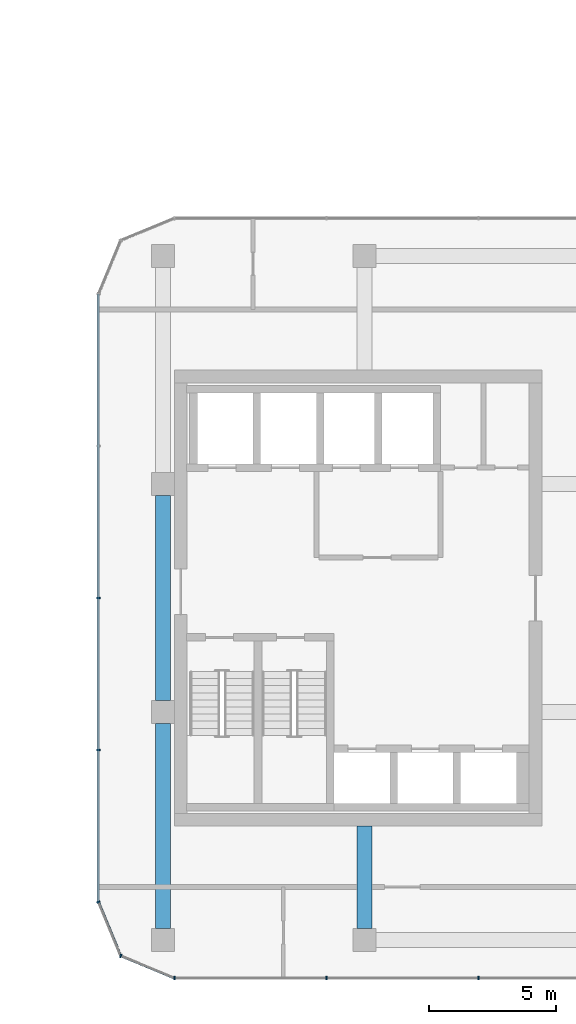
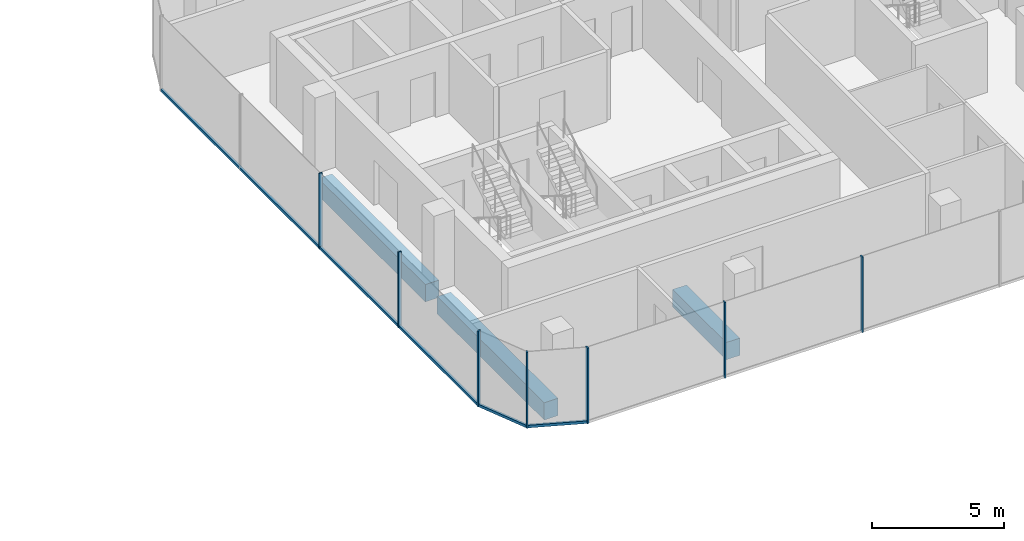
# One storey, part 7 of 22: 10 members, 3 beams, 4 elements without a shape of their own.
"""IFC4 building model written with IfcOpenShell, lengths in metres."""

from ifc_helpers import new_model, si_unit, direction, frame, origin, origin_2d, place, context, subcontext, project, spatial, rectangle, extrude, material, layer, layer_set, material_profile, profile_set, type_object, element, aggregate, save


model = new_model("IFC4")

# Units and contexts
model_context = context("Model", 3, precision=1e-05, world=origin(), true_north=direction((0.0, 1.0)))
body_context = subcontext(model_context, "Body", "Model", "MODEL_VIEW")
ifc_project = project(units=[si_unit("LENGTHUNIT", "METRE"), si_unit("AREAUNIT", "SQUARE_METRE"), si_unit("VOLUMEUNIT", "CUBIC_METRE"), si_unit("PLANEANGLEUNIT", "RADIAN"), si_unit("MASSUNIT", "GRAM", prefix="KILO")], contexts=[model_context])

# Site, building, storey
site_placement = place(None, origin())
site = spatial("IfcSite", under=ifc_project, at=site_placement, CompositionType="ELEMENT")
building_placement = place(site_placement, origin())
building = spatial("IfcBuilding", under=site, at=building_placement, Name="Plateau Cross Towers", CompositionType="ELEMENT")
storey_placement = place(building_placement, frame((0.0, 0.0, 54.800048828125)))
storey = spatial("IfcBuildingStorey", under=building, at=storey_placement, Name="L13", CompositionType="ELEMENT", Elevation=54.800048828125)

# Beam
ifc_material_1 = material(Name="Concrete C60/75", Category="concrete")
ifc_material_profile_1 = material_profile(ifc_material_1, rectangle(XDim=0.60009765625, YDim=0.800048828125, at=origin_2d()), Name="RC 600x800")
ifc_profile_set_1 = profile_set([ifc_material_profile_1], Name="Concrete C60/75")
beam_type_1 = type_object("IfcBeamType", Name="Core beam RC 600x800", PredefinedType="BEAM", material=ifc_profile_set_1)
beam_placement = place(storey_placement, frame((82.5, 0.0, -0.650146484375), z_axis=(0.0, -1.0, 0.0), x_axis=(1.0, 0.0, 0.0)))
element("IfcBeam", 1, at=beam_placement, inside=storey, type_object=beam_type_1, Name="B-CB01@L13", PredefinedType="BEAM", context=body_context, shape_type="SweptSolid", body=[
    extrude(rectangle(XDim=0.60009765625, YDim=0.800048828125, at=origin_2d()), origin(), (0.0, 0.0, 1.0), 4.050048828125),
])

# Curtain wall, members
ifc_material_2 = material(Name="Dark low-iron glass", Category="glass")
ifc_layer = layer(ifc_material_2, 0.239990234375)
ifc_layer_set = layer_set([ifc_layer], Name="Dark low-iron glass")
curtain_wall_type = type_object("IfcCurtainWallType", Name="Curtain wall office unitised CW-F", PredefinedType="NOTDEFINED", material=ifc_layer_set)
curtain_wall_1_placement = place(storey_placement, origin())
curtain_wall_1 = element("IfcCurtainWall", 2, at=curtain_wall_1_placement, inside=storey, type_object=curtain_wall_type, Name="ENV/B/L13/B750_-60", PredefinedType="NOTDEFINED")
ifc_material_3 = material(Name="Black anodised aluminium", Category="aluminium")
ifc_material_profile_2 = material_profile(ifc_material_3, rectangle(XDim=0.06005859375, YDim=0.139892578125, at=origin_2d()), Name="MULLION 60x140")
ifc_profile_set_2 = profile_set([ifc_material_profile_2], Name="Black anodised aluminium")
member_type_1 = type_object("IfcMemberType", Name="Mullion 60x140 office unitised", PredefinedType="MULLION", material=ifc_profile_set_2)
member_1_placement = place(storey_placement, frame((75.0, -6.0, -0.25), z_axis=(0.0, 0.0, 1.0), x_axis=(1.0, 0.0, 0.0)))
member_1 = element("IfcMember", 3, at=member_1_placement, type_object=member_type_1, Name="CW-F mullion 1", PredefinedType="MULLION", context=body_context, shape_type="SweptSolid", body=[
    extrude(rectangle(XDim=0.06005859375, YDim=0.139892578125, at=origin_2d()), origin(), (0.0, 0.0, 1.0), 3.5),
])
member_2_placement = place(storey_placement, frame((81.0, -6.0, -0.25), z_axis=(0.0, 0.0, 1.0), x_axis=(1.0, 0.0, 0.0)))
member_2 = element("IfcMember", 4, at=member_2_placement, type_object=member_type_1, Name="CW-F mullion 2", PredefinedType="MULLION", context=body_context, shape_type="SweptSolid", body=[
    extrude(rectangle(XDim=0.06005859375, YDim=0.139892578125, at=origin_2d()), origin(), (0.0, 0.0, 1.0), 3.5),
])
member_3_placement = place(storey_placement, frame((87.0, -6.0, -0.25), z_axis=(0.0, 0.0, 1.0), x_axis=(1.0, 0.0, 0.0)))
member_3 = element("IfcMember", 5, at=member_3_placement, type_object=member_type_1, Name="CW-F mullion 3", PredefinedType="MULLION", context=body_context, shape_type="SweptSolid", body=[
    extrude(rectangle(XDim=0.06005859375, YDim=0.139892578125, at=origin_2d()), origin(), (0.0, 0.0, 1.0), 3.5),
])
aggregate(curtain_wall_1, [member_1, member_2, member_3])

curtain_wall_2_placement = place(storey_placement, origin())
curtain_wall_2 = element("IfcCurtainWall", 6, at=curtain_wall_2_placement, inside=storey, type_object=curtain_wall_type, Name="ENV/B/L13/B720_210", PredefinedType="NOTDEFINED")
member_4_placement = place(storey_placement, frame((72.0, 9.0, -0.25), z_axis=(0.0, 0.0, 1.0), x_axis=(0.0, -1.0, 0.0)))
member_4 = element("IfcMember", 7, at=member_4_placement, type_object=member_type_1, Name="CW-F mullion 3", PredefinedType="MULLION", context=body_context, shape_type="SweptSolid", body=[
    extrude(rectangle(XDim=0.06005859375, YDim=0.139892578125, at=origin_2d()), origin(), (0.0, 0.0, 1.0), 3.5),
])
member_5_placement = place(storey_placement, frame((72.0, 3.0, -0.25), z_axis=(0.0, 0.0, 1.0), x_axis=(0.0, -1.0, 0.0)))
member_5 = element("IfcMember", 8, at=member_5_placement, type_object=member_type_1, Name="CW-F mullion 4", PredefinedType="MULLION", context=body_context, shape_type="SweptSolid", body=[
    extrude(rectangle(XDim=0.06005859375, YDim=0.139892578125, at=origin_2d()), origin(), (0.0, 0.0, 1.0), 3.5),
])

# Curtain wall, member
curtain_wall_3_placement = place(storey_placement, origin())
curtain_wall_3 = element("IfcCurtainWall", 9, at=curtain_wall_3_placement, inside=storey, type_object=curtain_wall_type, Name="ENV/B/L13/B720_-30", PredefinedType="NOTDEFINED")
member_6_placement = place(storey_placement, frame((72.0, -3.0, -0.25), z_axis=(0.0, 0.0, 1.0), x_axis=(0.382683612978, -0.923879457699, 0.0)))
member_6 = element("IfcMember", 10, at=member_6_placement, type_object=member_type_1, Name="CW-F mullion 1", PredefinedType="MULLION", context=body_context, shape_type="SweptSolid", body=[
    extrude(rectangle(XDim=0.06005859375, YDim=0.139892578125, at=origin_2d()), origin(), (0.0, 0.0, 1.0), 3.5),
])

curtain_wall_4_placement = place(storey_placement, origin())
curtain_wall_4 = element("IfcCurtainWall", 11, at=curtain_wall_4_placement, inside=storey, type_object=curtain_wall_type, Name="ENV/B/L13/B729_-51", PredefinedType="NOTDEFINED")
member_7_placement = place(storey_placement, frame((72.878662109375, -5.121337890625, -0.25), z_axis=(0.0, 0.0, 1.0), x_axis=(0.923879457699, -0.382683612978, 0.0)))
member_7 = element("IfcMember", 12, at=member_7_placement, type_object=member_type_1, Name="CW-F mullion 1", PredefinedType="MULLION", context=body_context, shape_type="SweptSolid", body=[
    extrude(rectangle(XDim=0.06005859375, YDim=0.139892578125, at=origin_2d()), origin(), (0.0, 0.0, 1.0), 3.5),
])

# Beams
ifc_material_profile_3 = material_profile(ifc_material_1, rectangle(XDim=0.60009765625, YDim=0.800048828125, at=origin_2d()), Name="RC 600x800")
ifc_profile_set_3 = profile_set([ifc_material_profile_3], Name="Concrete C60/75")
beam_type_2 = type_object("IfcBeamType", Name="Ring beam RC 600x800", PredefinedType="BEAM", material=ifc_profile_set_3)
for number, where, z_axis, x_axis, name in (
    (13, (74.550048828125, 13.050048828125, -0.650146484375), (0.0, -1.0, 0.0), (1.0, 0.0, 0.0), "B-RB09@L13"),
    (14, (74.550048828125, 4.050048828125, -0.650146484375), (0.0, -1.0, 0.0), (1.0, 0.0, 0.0), "B-RB10@L13"),
):
    element("IfcBeam", number, at=place(storey_placement, frame(where, z_axis=z_axis, x_axis=x_axis)), inside=storey, type_object=beam_type_2, Name=name, PredefinedType="BEAM", context=body_context, shape_type="SweptSolid", body=[
        extrude(rectangle(XDim=0.60009765625, YDim=0.800048828125, at=origin_2d()), origin(), (0.0, 0.0, 1.0), 8.10009765625),
    ])

# Member
ifc_material_profile_4 = material_profile(ifc_material_3, rectangle(XDim=0.10009765625, YDim=0.1201171875, at=origin_2d()), Name="TRANSOM 100x120")
ifc_profile_set_4 = profile_set([ifc_material_profile_4], Name="Black anodised aluminium")
member_type_2 = type_object("IfcMemberType", Name="Transom 100x120 office unitised", PredefinedType="USERDEFINED", material=ifc_profile_set_4)
member_8_placement = place(storey_placement, frame((72.0, 21.0, -0.18994140625), z_axis=(0.0, -1.0, 0.0), x_axis=(1.0, 0.0, 0.0)))
member_8 = element("IfcMember", 15, at=member_8_placement, type_object=member_type_2, Name="CW-F transom", ObjectType="TRANSOM", PredefinedType="USERDEFINED", context=body_context, shape_type="SweptSolid", body=[
    extrude(rectangle(XDim=0.10009765625, YDim=0.1201171875, at=origin_2d()), origin(), (0.0, 0.0, 1.0), 24.0),
])

aggregate(curtain_wall_2, [member_4, member_5, member_8])

member_9_placement = place(storey_placement, frame((72.0, -3.0, -0.18994140625), z_axis=(0.382674207535, -0.923883353507, 0.0), x_axis=(0.923883353507, 0.382674207535, 0.0)))
member_9 = element("IfcMember", 16, at=member_9_placement, type_object=member_type_2, Name="CW-F transom", ObjectType="TRANSOM", PredefinedType="USERDEFINED", context=body_context, shape_type="SweptSolid", body=[
    extrude(rectangle(XDim=0.10009765625, YDim=0.1201171875, at=origin_2d()), origin(), (0.0, 0.0, 1.0), 2.296142578125),
])

aggregate(curtain_wall_3, [member_6, member_9])

member_10_placement = place(storey_placement, frame((72.878662109375, -5.121337890625, -0.18994140625), z_axis=(0.923883353507, -0.382674207535, 0.0), x_axis=(0.382674207535, 0.923883353507, 0.0)))
member_10 = element("IfcMember", 17, at=member_10_placement, type_object=member_type_2, Name="CW-F transom", ObjectType="TRANSOM", PredefinedType="USERDEFINED", context=body_context, shape_type="SweptSolid", body=[
    extrude(rectangle(XDim=0.10009765625, YDim=0.1201171875, at=origin_2d()), origin(), (0.0, 0.0, 1.0), 2.296142578125),
])

aggregate(curtain_wall_4, [member_7, member_10])

save(model, "model.ifc")
